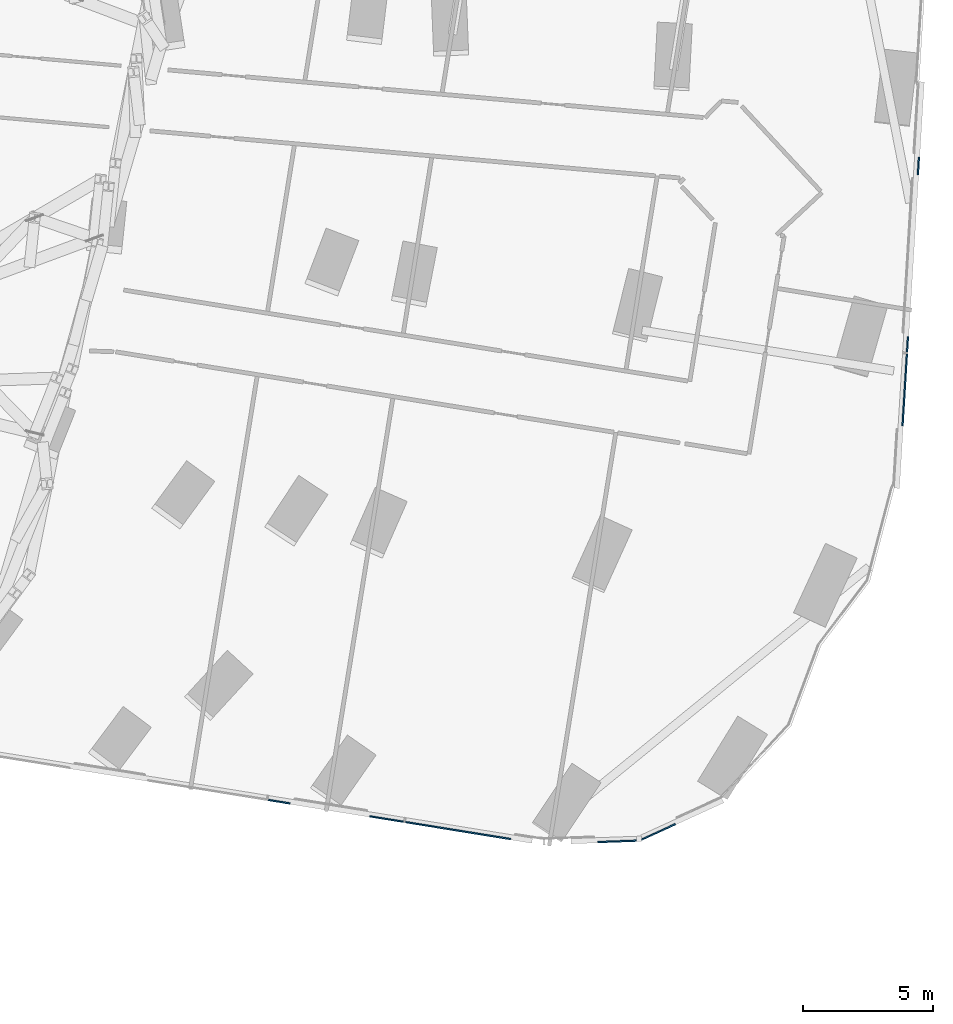
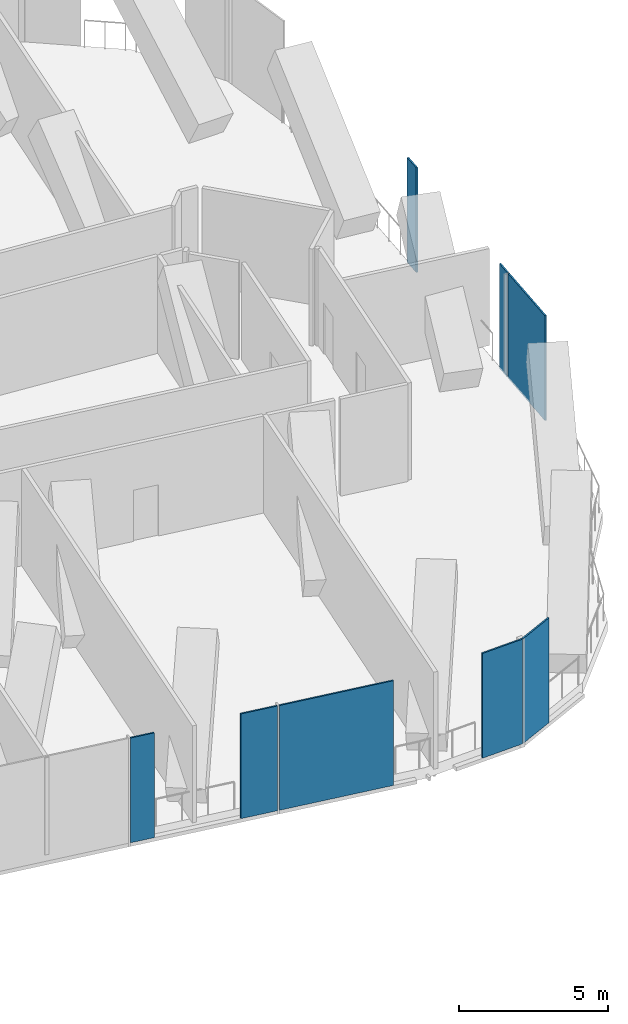
# One storey, part 24 of 39: 8 plates, 4 elements without a shape of their own.
"""IFC4 building model written with IfcOpenShell, lengths in metres."""

from ifc_helpers import new_model, si_unit, direction, frame, origin, origin_2d, place, context, subcontext, project, spatial, rectangle, extrude, material, layer, layer_set, type_object, element, aggregate, save


model = new_model("IFC4")

# Units and contexts
model_context = context("Model", 3, precision=1e-05, world=origin(), true_north=direction((0.0, 1.0)))
body_context = subcontext(model_context, "Body", "Model", "MODEL_VIEW")
ifc_project = project(units=[si_unit("LENGTHUNIT", "METRE"), si_unit("AREAUNIT", "SQUARE_METRE"), si_unit("VOLUMEUNIT", "CUBIC_METRE"), si_unit("PLANEANGLEUNIT", "RADIAN"), si_unit("MASSUNIT", "GRAM", prefix="KILO")], contexts=[model_context])

# Site, building, storey
site_placement = place(None, origin())
site = spatial("IfcSite", under=ifc_project, at=site_placement, CompositionType="ELEMENT")
building_placement = place(site_placement, origin())
building = spatial("IfcBuilding", under=site, at=building_placement, Name="Orlundy Tower", CompositionType="ELEMENT")
storey_placement = place(building_placement, frame((0.0, 0.0, 141.199951171875)))
storey = spatial("IfcBuildingStorey", under=building, at=storey_placement, Name="L36", CompositionType="ELEMENT", Elevation=141.199951171875)

# Curtain wall, plates
ifc_material_1 = material(Name="Aluminium bronze anodised", Category="aluminium")
curtain_wall_type = type_object("IfcCurtainWallType", Name="CW4 wall", PredefinedType="NOTDEFINED", material=ifc_material_1)
curtain_wall_1_placement = place(storey_placement, origin())
curtain_wall_1 = element("IfcCurtainWall", 1, at=curtain_wall_1_placement, inside=storey, type_object=curtain_wall_type, Name="CW4 run 034", PredefinedType="NOTDEFINED")
ifc_material_2 = material(Name="Louvre aluminium bronze anodised", Category="aluminium")
ifc_layer = layer(ifc_material_2, 0.06005859375)
ifc_layer_set = layer_set([ifc_layer], Name="CW4 louvre panel 60")
plate_type = type_object("IfcPlateType", Name="CW4 louvre panel 60", PredefinedType="CURTAIN_PANEL", material=ifc_layer_set)
plate_1_placement = place(storey_placement, frame((60.67724609375, -1.731201171875, -0.2998046875), z_axis=(0.0, 0.0, 1.0), x_axis=(-0.061047131434, -0.998134884544, 0.0)))
plate_1 = element("IfcPlate", 2, at=plate_1_placement, type_object=plate_type, Name="CW4 louvre", PredefinedType="CURTAIN_PANEL", context=body_context, shape_type="SweptSolid", body=[
    extrude(rectangle(XDim=0.6708984375, YDim=0.06005859375, at=origin_2d()), origin(), (0.0, 0.0, 1.0), 4.300048828125),
])
plate_2_placement = place(storey_placement, frame((60.25634765625, -8.615234375, -0.2998046875), z_axis=(0.0, 0.0, 1.0), x_axis=(-0.061047131434, -0.998134884544, 0.0)))
plate_2 = element("IfcPlate", 3, at=plate_2_placement, type_object=plate_type, Name="CW4 louvre", PredefinedType="CURTAIN_PANEL", context=body_context, shape_type="SweptSolid", body=[
    extrude(rectangle(XDim=0.59912109375, YDim=0.06005859375, at=origin_2d()), origin(), (0.0, 0.0, 1.0), 4.300048828125),
])
plate_3_placement = place(storey_placement, frame((60.149658203125, -10.359130859375, -0.2998046875), z_axis=(0.0, 0.0, 1.0), x_axis=(-0.061047131434, -0.998134884544, 0.0)))
plate_3 = element("IfcPlate", 4, at=plate_3_placement, type_object=plate_type, Name="CW4 louvre", PredefinedType="CURTAIN_PANEL", context=body_context, shape_type="SweptSolid", body=[
    extrude(rectangle(XDim=2.775390625, YDim=0.06005859375, at=origin_2d()), origin(), (0.0, 0.0, 1.0), 4.300048828125),
])
aggregate(curtain_wall_1, [plate_1, plate_2, plate_3])

# Curtain wall, plate
curtain_wall_2_placement = place(storey_placement, origin())
curtain_wall_2 = element("IfcCurtainWall", 5, at=curtain_wall_2_placement, inside=storey, type_object=curtain_wall_type, Name="CW4 run 039", PredefinedType="NOTDEFINED")
plate_4_placement = place(storey_placement, frame((50.612060546875, -27.427001953125, -0.2998046875), z_axis=(0.0, 0.0, 1.0), x_axis=(-0.909328663876, -0.416078575575, 0.0)))
plate_4 = element("IfcPlate", 6, at=plate_4_placement, type_object=plate_type, Name="CW4 louvre", PredefinedType="CURTAIN_PANEL", context=body_context, shape_type="SweptSolid", body=[
    extrude(rectangle(XDim=1.52197265625, YDim=0.06005859375, at=origin_2d()), origin(), (0.0, 0.0, 1.0), 4.300048828125),
])
aggregate(curtain_wall_2, [plate_4])

curtain_wall_3_placement = place(storey_placement, origin())
curtain_wall_3 = element("IfcCurtainWall", 7, at=curtain_wall_3_placement, inside=storey, type_object=curtain_wall_type, Name="CW4 run 040", PredefinedType="NOTDEFINED")
plate_5_placement = place(storey_placement, frame((49.121337890625, -27.772705078125, -0.2998046875), z_axis=(0.0, 0.0, 1.0), x_axis=(-0.999336823804, -0.036413082656, 0.0)))
plate_5 = element("IfcPlate", 8, at=plate_5_placement, type_object=plate_type, Name="CW4 louvre", PredefinedType="CURTAIN_PANEL", context=body_context, shape_type="SweptSolid", body=[
    extrude(rectangle(XDim=1.5986328125, YDim=0.06005859375, at=origin_2d()), origin(), (0.0, 0.0, 1.0), 4.300048828125),
])
aggregate(curtain_wall_3, [plate_5])

# Curtain wall, plates
curtain_wall_4_placement = place(storey_placement, origin())
curtain_wall_4 = element("IfcCurtainWall", 9, at=curtain_wall_4_placement, inside=storey, type_object=curtain_wall_type, Name="CW4 run 041", PredefinedType="NOTDEFINED")
plate_6_placement = place(storey_placement, frame((42.919677734375, -27.35693359375, -0.2998046875), z_axis=(0.0, 0.0, 1.0), x_axis=(-0.987228432558, 0.159311085453, 0.0)))
plate_6 = element("IfcPlate", 10, at=plate_6_placement, type_object=plate_type, Name="CW4 louvre", PredefinedType="CURTAIN_PANEL", context=body_context, shape_type="SweptSolid", body=[
    extrude(rectangle(XDim=4.113525390625, YDim=0.06005859375, at=origin_2d()), origin(), (0.0, 0.0, 1.0), 4.300048828125),
])
plate_7_placement = place(storey_placement, frame((40.177001953125, -26.914306640625, -0.2998046875), z_axis=(0.0, 0.0, 1.0), x_axis=(-0.987228432558, 0.159311085453, 0.0)))
plate_7 = element("IfcPlate", 11, at=plate_7_placement, type_object=plate_type, Name="CW4 louvre", PredefinedType="CURTAIN_PANEL", context=body_context, shape_type="SweptSolid", body=[
    extrude(rectangle(XDim=1.322509765625, YDim=0.06005859375, at=origin_2d()), origin(), (0.0, 0.0, 1.0), 4.300048828125),
])
plate_8_placement = place(storey_placement, frame((36.02490234375, -26.244140625, -0.2998046875), z_axis=(0.0, 0.0, 1.0), x_axis=(-0.987228432558, 0.159311085453, 0.0)))
plate_8 = element("IfcPlate", 12, at=plate_8_placement, type_object=plate_type, Name="CW4 louvre", PredefinedType="CURTAIN_PANEL", context=body_context, shape_type="SweptSolid", body=[
    extrude(rectangle(XDim=0.859130859375, YDim=0.06005859375, at=origin_2d()), origin(), (0.0, 0.0, 1.0), 4.300048828125),
])
aggregate(curtain_wall_4, [plate_6, plate_7, plate_8])

save(model, "model.ifc")
